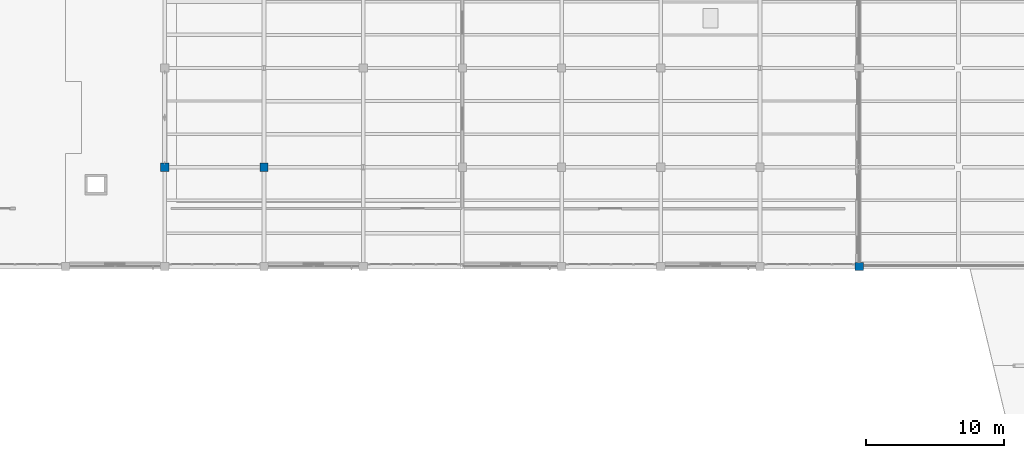
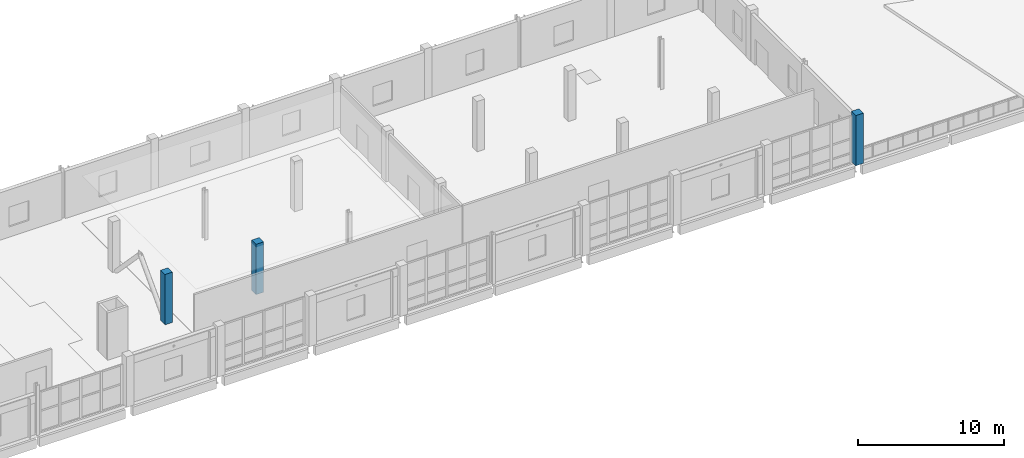
# One storey, part 13 of 94: 3 columns.
"""IFC4 building model written with IfcOpenShell, lengths in metres."""

from ifc_helpers import new_model, si_unit, direction, frame, origin, origin_2d, place, context, subcontext, project, spatial, rectangle, extrude, material, material_profile, profile_set, type_object, element, save


model = new_model("IFC4")

# Units and contexts
model_context = context("Model", 3, precision=1e-05, world=origin(), true_north=direction((0.0, 1.0)))
body_context = subcontext(model_context, "Body", "Model", "MODEL_VIEW")
ifc_project = project(units=[si_unit("LENGTHUNIT", "METRE"), si_unit("AREAUNIT", "SQUARE_METRE"), si_unit("VOLUMEUNIT", "CUBIC_METRE"), si_unit("PLANEANGLEUNIT", "RADIAN"), si_unit("MASSUNIT", "GRAM", prefix="KILO")], contexts=[model_context])

# Site, building, storey
site_placement = place(None, origin())
site = spatial("IfcSite", under=ifc_project, at=site_placement, CompositionType="ELEMENT")
building_placement = place(site_placement, origin())
building = spatial("IfcBuilding", under=site, at=building_placement, Name="Kalmorath City Hall", CompositionType="ELEMENT")
storey_placement = place(building_placement, frame((0.0, 0.0, 14.699951171875)))
storey = spatial("IfcBuildingStorey", under=building, at=storey_placement, Name="L03", CompositionType="ELEMENT", Elevation=14.699951171875)

# Columns
ifc_material = material(Name="Concrete C50/60", Category="concrete")
ifc_material_profile = material_profile(ifc_material, rectangle(XDim=0.60009765625, YDim=0.60009765625, at=origin_2d()), Name="RC-COL-600X600")
ifc_profile_set = profile_set([ifc_material_profile], Name="Concrete C50/60")
column_type = type_object("IfcColumnType", Name="Concrete column 600x600", PredefinedType="COLUMN", material=ifc_profile_set)
for number, where, z_axis, x_axis, name in (
    (1, (64.800048828125, 100.800048828125, 0.0), (0.0, 0.0, 1.0), (1.0, 0.0, 0.0), "L03 column C6 (10/15)"),
    (2, (72.0, 100.800048828125, 0.0), (0.0, 0.0, 1.0), (1.0, 0.0, 0.0), "L03 column C6 (11/15)"),
    (3, (115.199951171875, 93.60009765625, 0.0), (0.0, 0.0, 1.0), (1.0, 0.0, 0.0), "L03 column C6 (17/14)"),
):
    element("IfcColumn", number, at=place(storey_placement, frame(where, z_axis=z_axis, x_axis=x_axis)), inside=storey, type_object=column_type, Name=name, PredefinedType="COLUMN", context=body_context, shape_type="SweptSolid", body=[
        extrude(rectangle(XDim=0.60009765625, YDim=0.60009765625, at=origin_2d()), origin(), (0.0, 0.0, 1.0), 4.199951171875),
    ])

save(model, "model.ifc")
